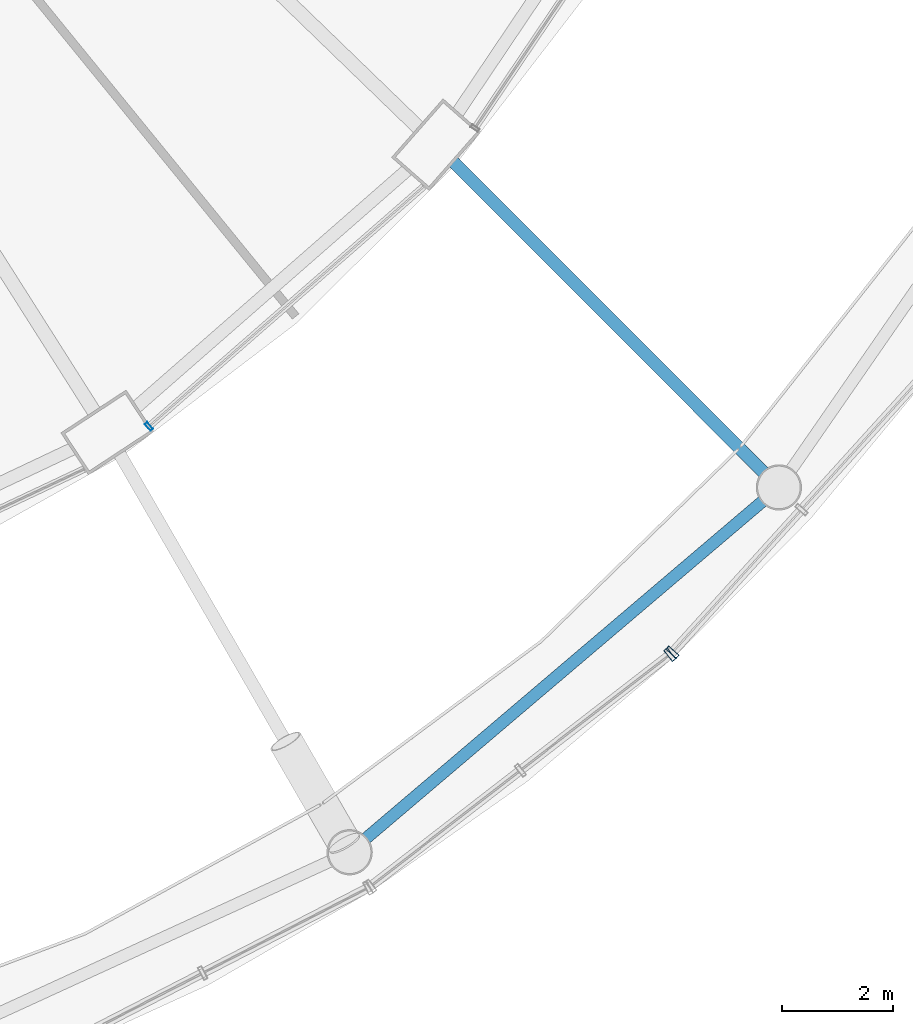
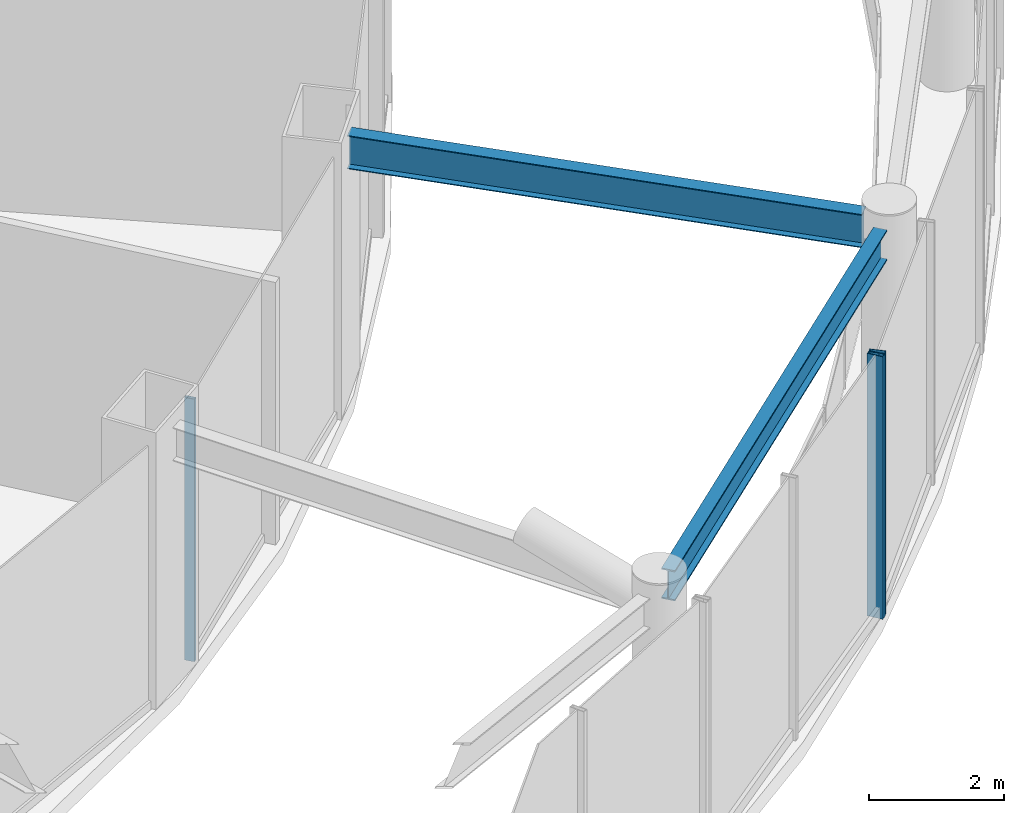
# One storey, part 12 of 52: 3 members, 2 beams, 3 elements without a shape of their own.
"""IFC4 building model written with IfcOpenShell, lengths in metres."""

from ifc_helpers import new_model, si_unit, direction, frame, origin, origin_2d, place, context, subcontext, project, spatial, hollow_rectangle, i_section, extrude, material, layer, layer_set, material_profile, profile_set, type_object, element, aggregate, save


model = new_model("IFC4")

# Units and contexts
model_context = context("Model", 3, precision=1e-05, world=origin(), true_north=direction((0.0, 1.0)))
body_context = subcontext(model_context, "Body", "Model", "MODEL_VIEW")
ifc_project = project(units=[si_unit("LENGTHUNIT", "METRE"), si_unit("AREAUNIT", "SQUARE_METRE"), si_unit("VOLUMEUNIT", "CUBIC_METRE"), si_unit("PLANEANGLEUNIT", "RADIAN"), si_unit("MASSUNIT", "GRAM", prefix="KILO")], contexts=[model_context])

# Site, building, storey
site_placement = place(None, origin())
site = spatial("IfcSite", under=ifc_project, at=site_placement, CompositionType="ELEMENT")
building_placement = place(site_placement, origin())
building = spatial("IfcBuilding", under=site, at=building_placement, Name="Nagisa Residences", CompositionType="ELEMENT")
storey_placement = place(building_placement, frame((0.0, 0.0, 22.0)))
storey = spatial("IfcBuildingStorey", under=building, at=storey_placement, Name="L04", CompositionType="ELEMENT", Elevation=22.0)

# Beams
ifc_material_1 = material(Name="Steel ASTM A572 Gr 50", Category="steel")
ifc_material_profile_1 = material_profile(ifc_material_1, i_section(OverallWidth=0.214111328125, OverallDepth=0.549072265625, WebThickness=0.0146484375, FlangeThickness=0.023681640625, at=origin_2d()), Name="W530x138")
ifc_profile_set_1 = profile_set([ifc_material_profile_1], Name="Steel ASTM A572 Gr 50")
beam_type_1 = type_object("IfcBeamType", Name="Atrium ring beam W530x138", PredefinedType="BEAM", material=ifc_profile_set_1)
beam_1_placement = place(storey_placement, frame((22.49462890625, -35.429931640625, 4.4755859375), z_axis=(0.761996084448, 0.647581629824, 0.0), x_axis=(-0.647581629824, 0.761996084448, 0.0)))
element("IfcBeam", 1, at=beam_1_placement, inside=storey, type_object=beam_type_1, Name="beam:L04:rab21", PredefinedType="BEAM", context=body_context, shape_type="SweptSolid", body=[
    extrude(i_section(OverallWidth=0.214111328125, OverallDepth=0.549072265625, WebThickness=0.0146484375, FlangeThickness=0.023681640625, at=origin_2d()), origin(), (0.0, 0.0, 1.0), 9.337646484375),
])
ifc_material_2 = material(Name="Steel ASTM A572 Gr 50", Category="steel")
ifc_material_profile_2 = material_profile(ifc_material_2, i_section(OverallWidth=0.22802734375, OverallDepth=0.60302734375, WebThickness=0.010498046875, FlangeThickness=0.014892578125, at=origin_2d()), Name="W610x101")
ifc_profile_set_2 = profile_set([ifc_material_profile_2], Name="Steel ASTM A572 Gr 50")
beam_type_2 = type_object("IfcBeamType", Name="Atrium roof beam W610x101", PredefinedType="BEAM", material=ifc_profile_set_2)
beam_2_placement = place(storey_placement, frame((24.057373046875, -23.28564453125, 4.448486328125), z_axis=(0.707091295005, -0.707122267029, 0.0), x_axis=(0.707122267029, 0.707091295005, 0.0)))
element("IfcBeam", 2, at=beam_2_placement, inside=storey, type_object=beam_type_2, Name="beam:L04:rer22", PredefinedType="BEAM", context=body_context, shape_type="SweptSolid", body=[
    extrude(i_section(OverallWidth=0.22802734375, OverallDepth=0.60302734375, WebThickness=0.010498046875, FlangeThickness=0.014892578125, at=origin_2d()), origin(), (0.0, 0.0, 1.0), 7.882568359375),
])

# Curtain wall, member
ifc_material_3 = material(Name="Stainless steel curtain wall system", Category="steel")
ifc_layer_1 = layer(ifc_material_3, 0.159912109375)
ifc_layer_set_1 = layer_set([ifc_layer_1], Name="CW3 CURTAIN WALL")
curtain_wall_type_1 = type_object("IfcCurtainWallType", Name="CW3 CURTAIN WALL", PredefinedType="NOTDEFINED", material=ifc_layer_set_1)
curtain_wall_1_placement = place(storey_placement, origin())
curtain_wall_1 = element("IfcCurtainWall", 3, at=curtain_wall_1_placement, inside=storey, type_object=curtain_wall_type_1, Name="cw:CW3:L04:30", PredefinedType="NOTDEFINED")
ifc_material_4 = material(Name="Stainless steel", Category="steel")
ifc_material_profile_3 = material_profile(ifc_material_4, hollow_rectangle(XDim=0.25, YDim=0.080078125, WallThickness=0.008056640625, at=origin_2d()), Name="CW3 MULLION 250x80")
ifc_profile_set_3 = profile_set([ifc_material_profile_3], Name="Stainless steel")
member_type_1 = type_object("IfcMemberType", Name="CW3 MULLION 250x80", PredefinedType="MULLION", material=ifc_profile_set_3)
member_1_placement = place(storey_placement, frame((27.9453125, -32.135009765625, 0.0), z_axis=(0.0, 0.0, 1.0), x_axis=(-0.612034757172, 0.790830864353, 0.0)))
member_1 = element("IfcMember", 4, at=member_1_placement, type_object=member_type_1, Name="CW3 mullion", PredefinedType="MULLION", context=body_context, shape_type="SweptSolid", body=[
    extrude(hollow_rectangle(XDim=0.25, YDim=0.080078125, WallThickness=0.008056640625, at=origin_2d()), origin(), (0.0, 0.0, 1.0), 4.739990234375),
])
aggregate(curtain_wall_1, [member_1])

curtain_wall_2_placement = place(storey_placement, origin())
curtain_wall_2 = element("IfcCurtainWall", 5, at=curtain_wall_2_placement, inside=storey, type_object=curtain_wall_type_1, Name="cw:CW3:L04:31", PredefinedType="NOTDEFINED")
member_2_placement = place(storey_placement, frame((27.993408203125, -32.090576171875, 0.0), z_axis=(0.0, 0.0, 1.0), x_axis=(-0.741535779122, 0.670913323971, 0.0)))
member_2 = element("IfcMember", 6, at=member_2_placement, type_object=member_type_1, Name="CW3 mullion", PredefinedType="MULLION", context=body_context, shape_type="SweptSolid", body=[
    extrude(hollow_rectangle(XDim=0.25, YDim=0.080078125, WallThickness=0.008056640625, at=origin_2d()), origin(), (0.0, 0.0, 1.0), 4.739990234375),
])
aggregate(curtain_wall_2, [member_2])

ifc_material_5 = material(Name="Stainless steel curtain wall system", Category="steel")
ifc_layer_2 = layer(ifc_material_5, 0.159912109375)
ifc_layer_set_2 = layer_set([ifc_layer_2], Name="CW6 CURTAIN WALL")
curtain_wall_type_2 = type_object("IfcCurtainWallType", Name="CW6 CURTAIN WALL", PredefinedType="NOTDEFINED", material=ifc_layer_set_2)
curtain_wall_3_placement = place(storey_placement, origin())
curtain_wall_3 = element("IfcCurtainWall", 7, at=curtain_wall_3_placement, inside=storey, type_object=curtain_wall_type_2, Name="cw:CW6:L04:40", PredefinedType="NOTDEFINED")
ifc_material_6 = material(Name="Stainless steel", Category="steel")
ifc_material_profile_4 = material_profile(ifc_material_6, hollow_rectangle(XDim=0.159912109375, YDim=0.06005859375, WallThickness=0.006103515625, at=origin_2d()), Name="CW6 MULLION 160x60")
ifc_profile_set_4 = profile_set([ifc_material_profile_4], Name="Stainless steel")
member_type_2 = type_object("IfcMemberType", Name="CW6 MULLION 160x60", PredefinedType="MULLION", material=ifc_profile_set_4)
member_3_placement = place(storey_placement, frame((18.59716796875, -28.038330078125, 0.0), z_axis=(0.0, 0.0, 1.0), x_axis=(-0.657721475708, 0.753261216572, 0.0)))
member_3 = element("IfcMember", 8, at=member_3_placement, type_object=member_type_2, Name="CW6 mullion", PredefinedType="MULLION", context=body_context, shape_type="SweptSolid", body=[
    extrude(hollow_rectangle(XDim=0.159912109375, YDim=0.06005859375, WallThickness=0.006103515625, at=origin_2d()), origin(), (0.0, 0.0, 1.0), 4.739990234375),
])
aggregate(curtain_wall_3, [member_3])

save(model, "model.ifc")
